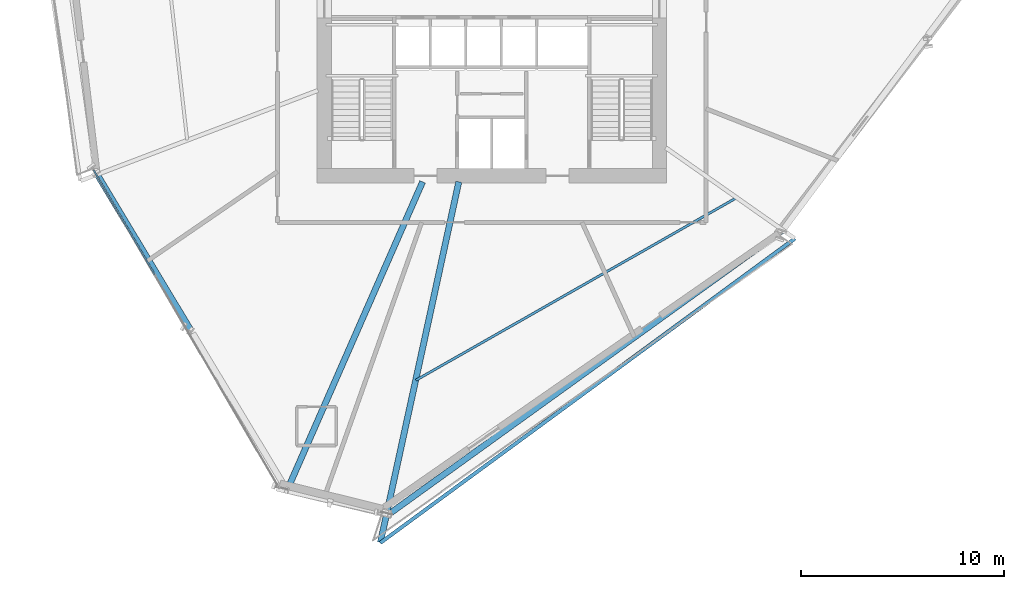
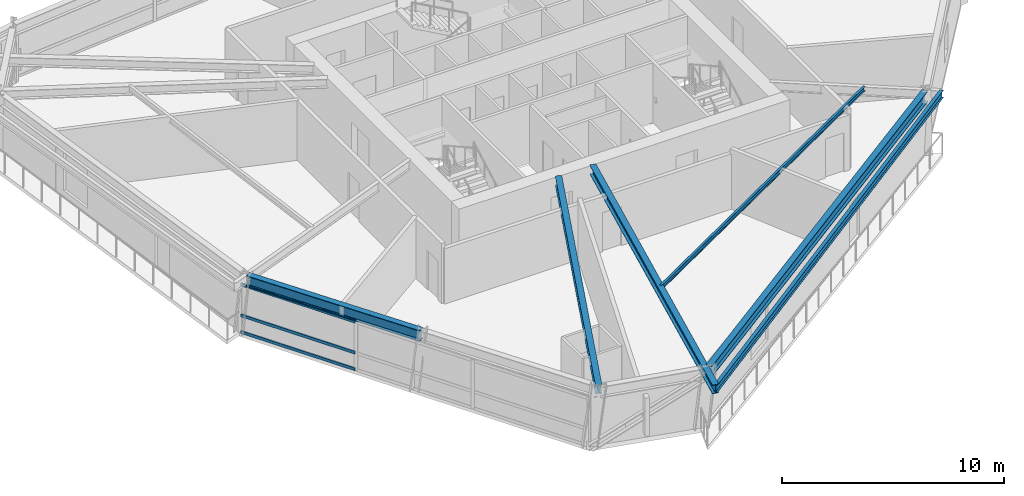
# One storey, part 3 of 17: 6 beams, 3 members, 1 element without a shape of its own.
"""IFC4 building model written with IfcOpenShell, lengths in metres."""

from ifc_helpers import new_model, si_unit, direction, frame, origin, origin_2d, place, context, subcontext, project, spatial, hollow_rectangle, i_section, extrude, source, transform, mapped, material, material_profile, profile_set, type_object, element, aggregate, save


model = new_model("IFC4")

# Units and contexts
model_context = context("Model", 3, precision=1e-05, world=origin(), true_north=direction((0.0, 1.0)))
body_context = subcontext(model_context, "Body", "Model", "MODEL_VIEW")
ifc_project = project(units=[si_unit("LENGTHUNIT", "METRE"), si_unit("AREAUNIT", "SQUARE_METRE"), si_unit("VOLUMEUNIT", "CUBIC_METRE"), si_unit("PLANEANGLEUNIT", "RADIAN"), si_unit("MASSUNIT", "GRAM", prefix="KILO")], contexts=[model_context])

# Site, building, storey
site_placement = place(None, origin())
site = spatial("IfcSite", under=ifc_project, at=site_placement, CompositionType="ELEMENT")
building_placement = place(site_placement, origin())
building = spatial("IfcBuilding", under=site, at=building_placement, Name="Olszyna Solenne Hotel", CompositionType="ELEMENT")
storey_placement = place(building_placement, frame((0.0, 0.0, 116.35009765625)))
storey = spatial("IfcBuildingStorey", under=building, at=storey_placement, Name="L30", CompositionType="ELEMENT", Elevation=116.35009765625)

# Beams
ifc_material_1 = material(Name="Steel S355J2", Category="steel")
ifc_material_profile_1 = material_profile(ifc_material_1, i_section(OverallWidth=0.300048828125, OverallDepth=0.60009765625, WebThickness=0.015380859375, FlangeThickness=0.030029296875, at=origin_2d()), Name="HEB 600", Category="load-bearing")
ifc_profile_set_1 = profile_set([ifc_material_profile_1], Name="Steel S355J2")
beam_type_1 = type_object("IfcBeamType", Name="BM-S2", PredefinedType="BEAM", material=ifc_profile_set_1)
shared_shape_1 = source(origin(), body_context, "Body", "SweptSolid", [
    extrude(i_section(OverallWidth=0.300048828125, OverallDepth=0.60009765625, WebThickness=0.015380859375, FlangeThickness=0.030029296875, at=origin_2d()), origin(), (0.0, 0.0, 1.0), 8.950439453125),
])
beam_1_placement = place(storey_placement, frame((18.607177734375, 19.158935546875, 3.0), z_axis=(0.515426079283, -0.8569340446, 0.0), x_axis=(0.8569340446, 0.515426079283, 0.0)))
element("IfcBeam", 1, at=beam_1_placement, inside=storey, type_object=beam_type_1, Name="Perimeter spandrel beam BM-S2 B-L30-0904", PredefinedType="BEAM", context=body_context, shape_type="MappedRepresentation", body=[
    mapped(shared_shape_1, transform((0.0, 0.0, 0.0), x_axis=(1.0, 0.0, 0.0), y_axis=(0.0, 1.0, 0.0), z_axis=(0.0, 0.0, 1.0), scale=1.0)),
])
shared_shape_2 = source(origin(), body_context, "Body", "SweptSolid", [
    extrude(i_section(OverallWidth=0.300048828125, OverallDepth=0.60009765625, WebThickness=0.015380859375, FlangeThickness=0.030029296875, at=origin_2d()), origin(), (0.0, 0.0, 1.0), 23.73486328125),
])
beam_2_placement = place(storey_placement, frame((33.00341796875, 2.5390625, 3.0), z_axis=(0.811341342304, 0.584572686899, 0.0), x_axis=(-0.584572686899, 0.811341342304, 0.0)))
element("IfcBeam", 2, at=beam_2_placement, inside=storey, type_object=beam_type_1, Name="Perimeter spandrel beam BM-S2 B-L30-0907", PredefinedType="BEAM", context=body_context, shape_type="MappedRepresentation", body=[
    mapped(shared_shape_2, transform((0.0, 0.0, 0.0), x_axis=(1.0, 0.0, 0.0), y_axis=(0.0, 1.0, 0.0), z_axis=(0.0, 0.0, 1.0), scale=1.0)),
])
ifc_material_profile_2 = material_profile(ifc_material_1, i_section(OverallWidth=0.300048828125, OverallDepth=0.489990234375, WebThickness=0.011962890625, FlangeThickness=0.02294921875, at=origin_2d()), Name="HEA 500", Category="load-bearing")
ifc_profile_set_2 = profile_set([ifc_material_profile_2], Name="Steel S355J2")
beam_type_2 = type_object("IfcBeamType", Name="BM-G1", PredefinedType="BEAM", material=ifc_profile_set_2)
shared_shape_3 = source(origin(), body_context, "Body", "SweptSolid", [
    extrude(i_section(OverallWidth=0.300048828125, OverallDepth=0.489990234375, WebThickness=0.011962890625, FlangeThickness=0.02294921875, at=origin_2d()), origin(), (0.0, 0.0, 1.0), 16.520751953125),
])
beam_3_placement = place(storey_placement, frame((27.95068359375, 3.7197265625, 3.054931640625), z_axis=(0.402136317616, 0.915579806491, 0.0), x_axis=(-0.915579806491, 0.402136317616, 0.0)))
element("IfcBeam", 3, at=beam_3_placement, inside=storey, type_object=beam_type_2, Name="Radial floor girder BM-G1 B-L30-0916", PredefinedType="BEAM", context=body_context, shape_type="MappedRepresentation", body=[
    mapped(shared_shape_3, transform((0.0, 0.0, 0.0), x_axis=(1.0, 0.0, 0.0), y_axis=(0.0, 1.0, 0.0), z_axis=(0.0, 0.0, 1.0), scale=1.0)),
])
shared_shape_4 = source(origin(), body_context, "Body", "SweptSolid", [
    extrude(i_section(OverallWidth=0.300048828125, OverallDepth=0.489990234375, WebThickness=0.011962890625, FlangeThickness=0.02294921875, at=origin_2d()), origin(), (0.0, 0.0, 1.0), 18.166748046875),
])
beam_4_placement = place(storey_placement, frame((32.518798828125, 1.0966796875, 3.054931640625), z_axis=(0.212388914958, 0.977185217245, 0.0), x_axis=(-0.977185217245, 0.212388914958, 0.0)))
element("IfcBeam", 4, at=beam_4_placement, inside=storey, type_object=beam_type_2, Name="Radial floor girder BM-G1 B-L30-0917", PredefinedType="BEAM", context=body_context, shape_type="MappedRepresentation", body=[
    mapped(shared_shape_4, transform((0.0, 0.0, 0.0), x_axis=(1.0, 0.0, 0.0), y_axis=(0.0, 1.0, 0.0), z_axis=(0.0, 0.0, 1.0), scale=1.0)),
])
ifc_material_profile_3 = material_profile(ifc_material_1, i_section(OverallWidth=0.1201171875, OverallDepth=0.239990234375, WebThickness=0.006103515625, FlangeThickness=0.009765625, at=origin_2d()), Name="IPE 240", Category="load-bearing")
ifc_profile_set_3 = profile_set([ifc_material_profile_3], Name="Steel S355J2")
beam_type_3 = type_object("IfcBeamType", Name="JS-03", PredefinedType="JOIST", material=ifc_profile_set_3)
shared_shape_5 = source(origin(), body_context, "Body", "SweptSolid", [
    extrude(i_section(OverallWidth=0.1201171875, OverallDepth=0.239990234375, WebThickness=0.006103515625, FlangeThickness=0.009765625, at=origin_2d()), origin(), (0.0, 0.0, 1.0), 18.144775390625),
])
beam_5_placement = place(storey_placement, frame((34.27001953125, 9.084228515625, 3.179931640625), z_axis=(0.86912194964, 0.494597853467, 0.0), x_axis=(-0.494597853467, 0.86912194964, 0.0)))
element("IfcBeam", 5, at=beam_5_placement, inside=storey, type_object=beam_type_3, Name="Secondary composite floor joist JS-03 B-L30-0923", PredefinedType="JOIST", context=body_context, shape_type="MappedRepresentation", body=[
    mapped(shared_shape_5, transform((0.0, 0.0, 0.0), x_axis=(1.0, 0.0, 0.0), y_axis=(0.0, 1.0, 0.0), z_axis=(0.0, 0.0, 1.0), scale=1.0)),
])
ifc_material_profile_4 = material_profile(ifc_material_1, i_section(OverallWidth=0.179931640625, OverallDepth=0.39990234375, WebThickness=0.008544921875, FlangeThickness=0.013427734375, at=origin_2d()), Name="IPE 400", Category="load-bearing")
ifc_profile_set_4 = profile_set([ifc_material_profile_4], Name="Steel S355J2")
beam_type_4 = type_object("IfcBeamType", Name="BM-F5", PredefinedType="BEAM", material=ifc_profile_set_4)
shared_shape_6 = source(origin(), body_context, "Body", "SweptSolid", [
    extrude(i_section(OverallWidth=0.179931640625, OverallDepth=0.39990234375, WebThickness=0.008544921875, FlangeThickness=0.013427734375, at=origin_2d()), origin(), (0.0, 0.0, 1.0), 25.31298828125),
])
beam_6_placement = place(storey_placement, frame((32.5146484375, 1.0771484375, 3.099853515625), z_axis=(0.806111758482, 0.591763325018, 0.0), x_axis=(-0.591763325018, 0.806111758482, 0.0)))
element("IfcBeam", 6, at=beam_6_placement, inside=storey, type_object=beam_type_4, Name="Loggia outer edge beam BM-F5 B-L30-0926", PredefinedType="BEAM", context=body_context, shape_type="MappedRepresentation", body=[
    mapped(shared_shape_6, transform((0.0, 0.0, 0.0), x_axis=(1.0, 0.0, 0.0), y_axis=(0.0, 1.0, 0.0), z_axis=(0.0, 0.0, 1.0), scale=1.0)),
])

# Curtain wall, members
ifc_material_2 = material(Name="Anodised bronze aluminium", Category="aluminium")
curtain_wall_type = type_object("IfcCurtainWallType", Name="CW-SYS-3", PredefinedType="NOTDEFINED", material=ifc_material_2)
curtain_wall_placement = place(storey_placement, origin())
curtain_wall = element("IfcCurtainWall", 7, at=curtain_wall_placement, inside=storey, type_object=curtain_wall_type, Name="Unitised curtain wall CW-SYS-3 CW-L30-01", PredefinedType="NOTDEFINED")
ifc_material_profile_5 = material_profile(ifc_material_2, hollow_rectangle(XDim=0.074951171875, YDim=0.159912109375, WallThickness=0.00390625, at=origin_2d()), Name="TRAN 160x75x4", Category="load-bearing")
ifc_profile_set_5 = profile_set([ifc_material_profile_5], Name="Anodised bronze aluminium")
member_type = type_object("IfcMemberType", Name="CW-T1", PredefinedType="USERDEFINED", material=ifc_profile_set_5)
shared_shape_7 = source(origin(), body_context, "Body", "SweptSolid", [
    extrude(hollow_rectangle(XDim=0.074951171875, YDim=0.159912109375, WallThickness=0.00390625, at=origin_2d()), origin(), (0.0, 0.0, 1.0), 5.941162109375),
])
member_1_placement = place(storey_placement, frame((18.411376953125, 19.42041015625, 0.037353515625), z_axis=(0.504136726333, -0.863623853979, 0.0), x_axis=(0.863623853979, 0.504136726333, 0.0)))
member_1 = element("IfcMember", 8, at=member_1_placement, type_object=member_type, Name="Curtain-wall transom CW-T1 CT-L30-01-01", ObjectType="TRANSOM", PredefinedType="USERDEFINED", context=body_context, shape_type="MappedRepresentation", body=[
    mapped(shared_shape_7, transform((0.0, 0.0, 0.0), x_axis=(1.0, 0.0, 0.0), y_axis=(0.0, 1.0, 0.0), z_axis=(0.0, 0.0, 1.0), scale=1.0)),
])
member_2_placement = place(storey_placement, frame((18.411376953125, 19.42041015625, 0.949951171875), z_axis=(0.504136726333, -0.863623853979, 0.0), x_axis=(0.863623853979, 0.504136726333, 0.0)))
member_2 = element("IfcMember", 9, at=member_2_placement, type_object=member_type, Name="Curtain-wall transom CW-T1 CT-L30-01-02", ObjectType="TRANSOM", PredefinedType="USERDEFINED", context=body_context, shape_type="MappedRepresentation", body=[
    mapped(shared_shape_7, transform((0.0, 0.0, 0.0), x_axis=(1.0, 0.0, 0.0), y_axis=(0.0, 1.0, 0.0), z_axis=(0.0, 0.0, 1.0), scale=1.0)),
])
member_3_placement = place(storey_placement, frame((18.411376953125, 19.42041015625, 2.654296875), z_axis=(0.504136726333, -0.863623853979, 0.0), x_axis=(0.863623853979, 0.504136726333, 0.0)))
member_3 = element("IfcMember", 10, at=member_3_placement, type_object=member_type, Name="Curtain-wall transom CW-T1 CT-L30-01-03", ObjectType="TRANSOM", PredefinedType="USERDEFINED", context=body_context, shape_type="MappedRepresentation", body=[
    mapped(shared_shape_7, transform((0.0, 0.0, 0.0), x_axis=(1.0, 0.0, 0.0), y_axis=(0.0, 1.0, 0.0), z_axis=(0.0, 0.0, 1.0), scale=1.0)),
])
aggregate(curtain_wall, [member_1, member_2, member_3])

save(model, "model.ifc")
